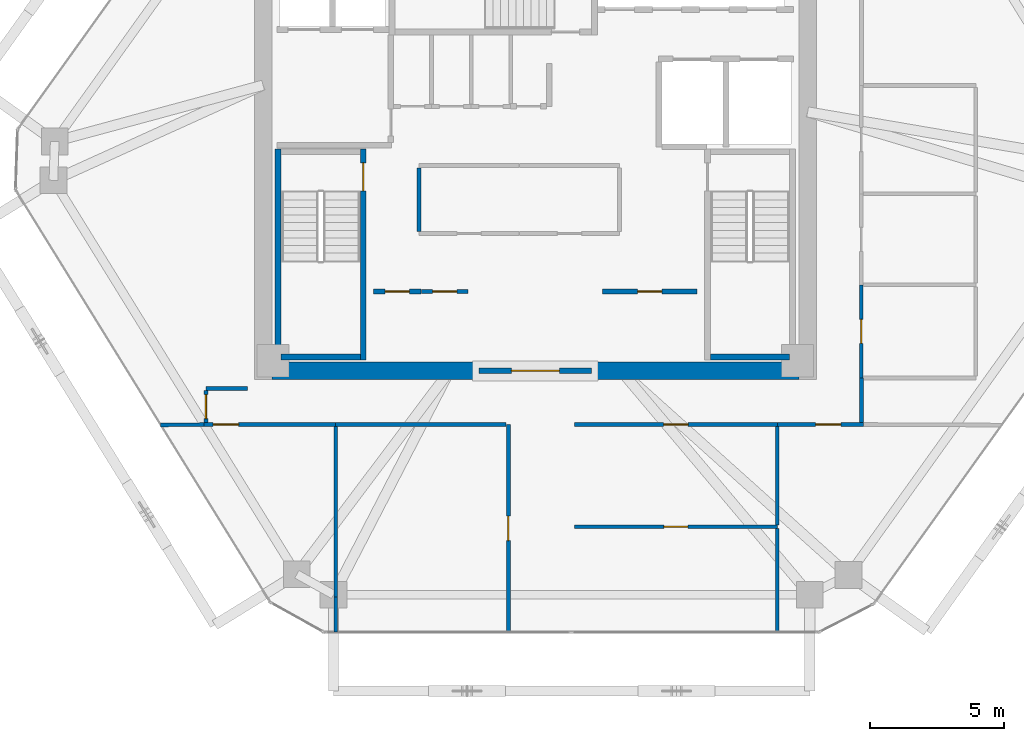
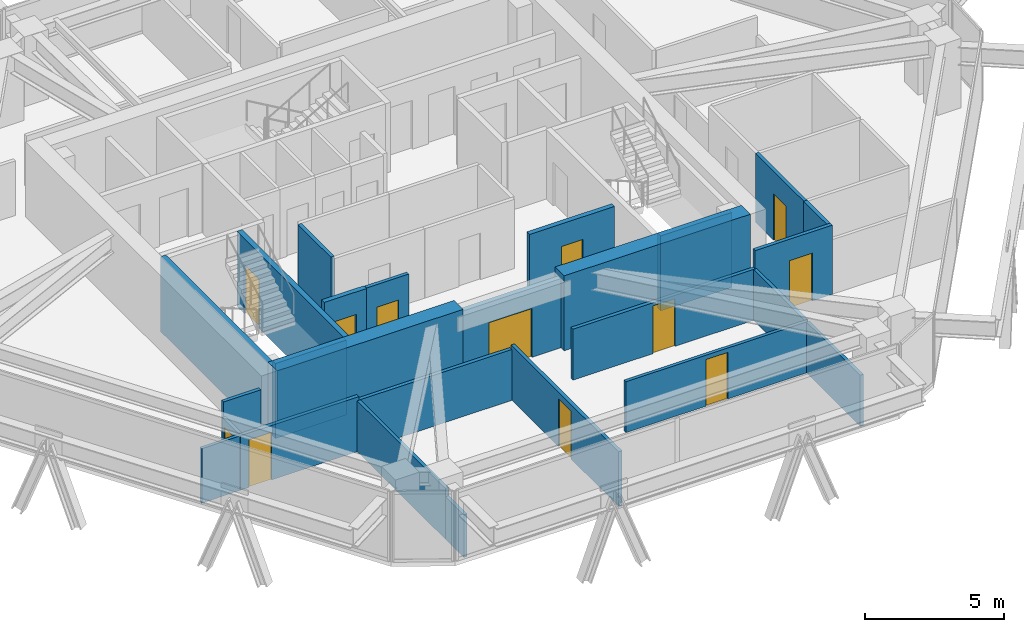
# One storey, part 10 of 14: 26 walls, 12 doors, 12 openings.
"""IFC4 building model written with IfcOpenShell, lengths in metres."""

from ifc_helpers import new_model, si_unit, direction, frame, frame_2d, origin, place, context, subcontext, project, spatial, rectangle, extrude, source, transform, mapped, material, layer, layer_set, type_object, type_shapes, element, fill, save


model = new_model("IFC4")

# Units and contexts
model_context = context("Model", 3, precision=1e-05, world=origin(), true_north=direction((0.0, 1.0)))
body_context = subcontext(model_context, "Body", "Model", "MODEL_VIEW")
ifc_project = project(units=[si_unit("LENGTHUNIT", "METRE"), si_unit("AREAUNIT", "SQUARE_METRE"), si_unit("VOLUMEUNIT", "CUBIC_METRE"), si_unit("PLANEANGLEUNIT", "RADIAN"), si_unit("MASSUNIT", "GRAM", prefix="KILO")], contexts=[model_context])

# Site, building, storey
site_placement = place(None, origin())
site = spatial("IfcSite", under=ifc_project, at=site_placement, CompositionType="ELEMENT")
building_placement = place(site_placement, origin())
building = spatial("IfcBuilding", under=site, at=building_placement, Name="Durnholm Broadcast Tower", CompositionType="ELEMENT")
storey_placement = place(building_placement, frame((0.0, 0.0, 193.60009765625)))
storey = spatial("IfcBuildingStorey", under=building, at=storey_placement, Name="L53", CompositionType="ELEMENT", Elevation=193.60009765625)

# Walls
ifc_material_1 = material(Name="Concrete C70/85", Category="concrete")
ifc_layer_1 = layer(ifc_material_1, 0.64990234375)
ifc_layer_set_1 = layer_set([ifc_layer_1], Name="Concrete C70/85")
wall_type_1 = type_object("IfcWallType", Name="WALL-CW-650", PredefinedType="SHEAR", material=ifc_layer_set_1)
for number, where, z_axis, x_axis, name in (
    (1, (-9.85009765625, -8.175048828125, 0.0), (0.0, 0.0, 1.0), (1.0, 0.0, 0.0), "L53 central core shear wall CW-S1"),
    (2, (2.10009765625, -8.175048828125, 0.0), (0.0, 0.0, 1.0), (1.0, 0.0, 0.0), "L53 central core shear wall CW-S2"),
):
    element("IfcWall", number, at=place(storey_placement, frame(where, z_axis=z_axis, x_axis=x_axis)), inside=storey, type_object=wall_type_1, Name=name, PredefinedType="SHEAR", context=body_context, shape_type="SweptSolid", body=[
        extrude(rectangle(XDim=7.75, YDim=0.64990234375, at=frame_2d((3.875, 0.0))), origin(), (0.0, 0.0, 1.0), 3.2998046875),
    ])

# Wall, opening, door
ifc_material_2 = material(Name="Fire-Rated Gypsum Shaftwall", Category="concrete")
ifc_layer_2 = layer(ifc_material_2, 0.199951171875)
ifc_layer_set_2 = layer_set([ifc_layer_2], Name="Fire-Rated Gypsum Shaftwall")
wall_type_2 = type_object("IfcWallType", Name="WALL-LOB-200", PredefinedType="SOLIDWALL", material=ifc_layer_set_2)
wall_1_placement = place(storey_placement, frame((-2.10009765625, -8.175048828125, 0.0), z_axis=(0.0, 0.0, 1.0), x_axis=(1.0, 0.0, 0.0)))
wall_1 = element("IfcWall", 3, at=wall_1_placement, inside=storey, type_object=wall_type_2, Name="L53 south core lobby fire screen", PredefinedType="SOLIDWALL", context=body_context, shape_type="SweptSolid", body=[
    extrude(rectangle(XDim=4.2001953125, YDim=0.199951171875, at=frame_2d((2.10009765625, 0.0))), origin(), (0.0, 0.0, 1.0), 3.044921875),
])
opening_1_placement = place(wall_1_placement, frame((1.199951171875, 0.0, 0.0)))
opening_1 = element("IfcOpeningElement", 4, at=opening_1_placement, cuts=wall_1, Name="Opening DP-60", PredefinedType="OPENING", context=body_context, shape_type="SweptSolid", body=[
    extrude(rectangle(XDim=1.800048828125, YDim=2.14990234375, at=frame_2d((0.89990234375, 1.074951171875))), frame((0.0, 0.10986328125, 0.0), z_axis=(0.0, -1.0, 0.0), x_axis=(1.0, 0.0, 0.0)), (0.0, 0.0, 1.0), 0.219970703125),
])
ifc_material_3 = material(Name="Fire-Rated Double Corridor Door", Category="steel")
ifc_layer_3 = layer(ifc_material_3, 0.050048828125)
ifc_layer_set_3 = layer_set([ifc_layer_3], Name="Fire-Rated Double Corridor Door")
door_type_1 = type_object("IfcDoorType", Name="DOOR-PAIR-FD60", OperationType="DOUBLE_DOOR_SINGLE_SWING", PredefinedType="DOOR", material=ifc_layer_set_3)
shared_shape_1 = source(origin(), body_context, "Body", "SweptSolid", [
    extrude(rectangle(XDim=1.800048828125, YDim=2.14990234375, at=frame_2d((0.89990234375, 1.074951171875))), frame((0.0, 0.02490234375, 0.0), z_axis=(0.0, -1.0, 0.0), x_axis=(1.0, 0.0, 0.0)), (0.0, 0.0, 1.0), 0.050048828125),
])
type_shapes(door_type_1, [shared_shape_1])
door_1_placement = place(opening_1_placement, origin())
door_1 = element("IfcDoor", 5, at=door_1_placement, inside=storey, type_object=door_type_1, Name="L53 south core lobby double fire door", OperationType="DOUBLE_DOOR_SINGLE_SWING", OverallHeight=2.14990234375, OverallWidth=1.800048828125, PredefinedType="DOOR", context=body_context, shape_type="MappedRepresentation", body=[
    mapped(shared_shape_1, transform((0.0, 0.0, 0.0), x_axis=(1.0, 0.0, 0.0), y_axis=(0.0, 1.0, 0.0), z_axis=(0.0, 0.0, 1.0), scale=1.0)),
])
fill(opening_1, door_1)

wall_2_placement = place(storey_placement, frame((-6.0400390625, -5.2099609375, 0.0), z_axis=(0.0, 0.0, 1.0), x_axis=(1.0, 0.0, 0.0)))
wall_2 = element("IfcWall", 6, at=wall_2_placement, inside=storey, type_object=wall_type_2, Name="L53 Media Fiber Patch Room corridor partition", PredefinedType="SOLIDWALL", context=body_context, shape_type="SweptSolid", body=[
    extrude(rectangle(XDim=1.760009765625, YDim=0.199951171875, at=frame_2d((0.8798828125, 0.0))), origin(), (0.0, 0.0, 1.0), 3.044921875),
])
opening_2_placement = place(wall_2_placement, frame((0.429931640625, 0.0, 0.0)))
opening_2 = element("IfcOpeningElement", 7, at=opening_2_placement, cuts=wall_2, Name="Opening DC-60L", PredefinedType="OPENING", context=body_context, shape_type="SweptSolid", body=[
    extrude(rectangle(XDim=0.89990234375, YDim=2.050048828125, at=frame_2d((0.449951171875, 1.02490234375))), frame((0.0, 0.10986328125, 0.0), z_axis=(0.0, -1.0, 0.0), x_axis=(1.0, 0.0, 0.0)), (0.0, 0.0, 1.0), 0.219970703125),
])
ifc_material_4 = material(Name="Fire-Rated Core Service Door", Category="steel")
ifc_layer_4 = layer(ifc_material_4, 0.050048828125)
ifc_layer_set_4 = layer_set([ifc_layer_4], Name="Fire-Rated Core Service Door")
door_type_2 = type_object("IfcDoorType", Name="DOOR-CORE-FD60-L", OperationType="NOTDEFINED", PredefinedType="DOOR", material=ifc_layer_set_4)
shared_shape_2 = source(origin(), body_context, "Body", "SweptSolid", [
    extrude(rectangle(XDim=0.89990234375, YDim=2.050048828125, at=frame_2d((0.449951171875, 1.02490234375))), frame((0.0, 0.02490234375, 0.0), z_axis=(0.0, -1.0, 0.0), x_axis=(1.0, 0.0, 0.0)), (0.0, 0.0, 1.0), 0.050048828125),
])
type_shapes(door_type_2, [shared_shape_2])
door_2_placement = place(opening_2_placement, origin())
door_2 = element("IfcDoor", 8, at=door_2_placement, inside=storey, type_object=door_type_2, Name="L53 Media Fiber Patch Room entrance door", OperationType="SINGLE_SWING_LEFT", OverallHeight=2.050048828125, OverallWidth=0.89990234375, PredefinedType="DOOR", context=body_context, shape_type="MappedRepresentation", body=[
    mapped(shared_shape_2, transform((0.0, 0.0, 0.0), x_axis=(1.0, 0.0, 0.0), y_axis=(0.0, 1.0, 0.0), z_axis=(0.0, 0.0, 1.0), scale=1.0)),
])
fill(opening_2, door_2)

wall_3_placement = place(storey_placement, frame((2.510009765625, -5.2099609375, 0.0), z_axis=(0.0, 0.0, 1.0), x_axis=(1.0, 0.0, 0.0)))
wall_3 = element("IfcWall", 9, at=wall_3_placement, inside=storey, type_object=wall_type_2, Name="L53 Telemetry Control Closet corridor partition", PredefinedType="SOLIDWALL", context=body_context, shape_type="SweptSolid", body=[
    extrude(rectangle(XDim=3.530029296875, YDim=0.199951171875, at=frame_2d((1.76513671875, 0.0))), origin(), (0.0, 0.0, 1.0), 3.044921875),
])
opening_3_placement = place(wall_3_placement, frame((1.31494140625, 0.0, 0.0)))
opening_3 = element("IfcOpeningElement", 10, at=opening_3_placement, cuts=wall_3, Name="Opening DC-60L", PredefinedType="OPENING", context=body_context, shape_type="SweptSolid", body=[
    extrude(rectangle(XDim=0.89990234375, YDim=2.050048828125, at=frame_2d((0.449951171875, 1.02490234375))), frame((0.0, 0.10986328125, 0.0), z_axis=(0.0, -1.0, 0.0), x_axis=(1.0, 0.0, 0.0)), (0.0, 0.0, 1.0), 0.219970703125),
])
door_3_placement = place(opening_3_placement, origin())
door_3 = element("IfcDoor", 11, at=door_3_placement, inside=storey, type_object=door_type_2, Name="L53 Telemetry Control Closet entrance door", OperationType="SINGLE_SWING_LEFT", OverallHeight=2.050048828125, OverallWidth=0.89990234375, PredefinedType="DOOR", context=body_context, shape_type="MappedRepresentation", body=[
    mapped(shared_shape_2, transform((0.0, 0.0, 0.0), x_axis=(1.0, 0.0, 0.0), y_axis=(0.0, 1.0, 0.0), z_axis=(0.0, 0.0, 1.0), scale=1.0)),
])
fill(opening_3, door_3)

# Walls
ifc_material_5 = material(Name="Gypsum Metal Stud Partition", Category="concrete")
ifc_layer_5 = layer(ifc_material_5, 0.135009765625)
ifc_layer_set_5 = layer_set([ifc_layer_5], Name="Gypsum Metal Stud Partition")
wall_type_3 = type_object("IfcWallType", Name="WALL-PART-135", PredefinedType="PARTITIONING", material=ifc_layer_set_5)
wall_4_placement = place(storey_placement, frame((-7.4599609375, -10.259033203125, 0.0), z_axis=(0.0, 0.0, 1.0), x_axis=(0.0, -1.0, 0.0)))
element("IfcWall", 12, at=wall_4_placement, inside=storey, type_object=wall_type_3, Name="L53 room dividing partition 16.17", PredefinedType="PARTITIONING", context=body_context, shape_type="SweptSolid", body=[
    extrude(rectangle(XDim=6.366943359375, YDim=0.135009765625, at=frame_2d((3.18359375, 0.0))), origin(), (0.0, 0.0, 1.0), 2.24169921875),
])
wall_5_placement = place(storey_placement, frame((-7.4599609375, -16.6259765625, 0.0), z_axis=(0.0, 0.0, 1.0), x_axis=(0.0, -1.0, 0.0)))
element("IfcWall", 13, at=wall_5_placement, inside=storey, type_object=wall_type_3, Name="L53 room dividing partition 16.17", PredefinedType="PARTITIONING", context=body_context, shape_type="SweptSolid", body=[
    extrude(rectangle(XDim=1.31591796875, YDim=0.135009765625, at=frame_2d((0.657958984375, 0.0))), origin(), (0.0, 0.0, 1.0), 1.876953125),
])
wall_6_placement = place(storey_placement, frame((-14.00390625, -10.200927734375, 0.0), z_axis=(0.0, 0.0, 1.0), x_axis=(0.999923084603, 0.012402615782, 0.0)))
element("IfcWall", 14, at=wall_6_placement, inside=storey, type_object=wall_type_3, Name="L53 room dividing partition 16.21", PredefinedType="PARTITIONING", context=body_context, shape_type="SweptSolid", body=[
    extrude(rectangle(XDim=1.6142578125, YDim=0.135009765625, at=frame_2d((0.80712890625, 0.0))), origin(), (0.0, 0.0, 1.0), 2.398681640625),
])

# Wall, opening, door
wall_7_placement = place(storey_placement, frame((1.4599609375, -14.0009765625, 0.0), z_axis=(0.0, 0.0, 1.0), x_axis=(1.0, 0.0, 0.0)))
wall_7 = element("IfcWall", 15, at=wall_7_placement, inside=storey, type_object=wall_type_3, Name="L53 room dividing partition 18.19", PredefinedType="PARTITIONING", context=body_context, shape_type="SweptSolid", body=[
    extrude(rectangle(XDim=7.580078125, YDim=0.135009765625, at=frame_2d((3.7900390625, 0.0))), origin(), (0.0, 0.0, 1.0), 2.24169921875),
])
opening_4_placement = place(wall_7_placement, frame((3.340087890625, 0.0, 0.0)))
opening_4 = element("IfcOpeningElement", 16, at=opening_4_placement, cuts=wall_7, Name="Opening DW-90L", PredefinedType="OPENING", context=body_context, shape_type="SweptSolid", body=[
    extrude(rectangle(XDim=0.89990234375, YDim=2.050048828125, at=frame_2d((0.449951171875, 1.02490234375))), frame((0.0, 0.07763671875, 0.0), z_axis=(0.0, -1.0, 0.0), x_axis=(1.0, 0.0, 0.0)), (0.0, 0.0, 1.0), 0.155029296875),
])
ifc_material_6 = material(Name="Laminate Restroom Door", Category="steel")
ifc_layer_6 = layer(ifc_material_6, 0.050048828125)
ifc_layer_set_6 = layer_set([ifc_layer_6], Name="Laminate Restroom Door")
door_type_3 = type_object("IfcDoorType", Name="DOOR-WC-900L", OperationType="NOTDEFINED", PredefinedType="DOOR", material=ifc_layer_set_6)
shared_shape_3 = source(origin(), body_context, "Body", "SweptSolid", [
    extrude(rectangle(XDim=0.89990234375, YDim=2.050048828125, at=frame_2d((0.449951171875, 1.02490234375))), frame((0.0, 0.02490234375, 0.0), z_axis=(0.0, -1.0, 0.0), x_axis=(1.0, 0.0, 0.0)), (0.0, 0.0, 1.0), 0.050048828125),
])
type_shapes(door_type_3, [shared_shape_3])
door_4_placement = place(opening_4_placement, origin())
door_4 = element("IfcDoor", 17, at=door_4_placement, inside=storey, type_object=door_type_3, Name="L53 Voiceover Studio Office connecting door", OperationType="SINGLE_SWING_LEFT", OverallHeight=2.050048828125, OverallWidth=0.89990234375, PredefinedType="DOOR", context=body_context, shape_type="MappedRepresentation", body=[
    mapped(shared_shape_3, transform((0.0, 0.0, 0.0), x_axis=(1.0, 0.0, 0.0), y_axis=(0.0, 1.0, 0.0), z_axis=(0.0, 0.0, 1.0), scale=1.0)),
])
fill(opening_4, door_4)

# Walls
wall_8_placement = place(storey_placement, frame((9.0400390625, -14.072509765625, 0.0), z_axis=(0.0, 0.0, 1.0), x_axis=(0.0, -1.0, 0.0)))
element("IfcWall", 18, at=wall_8_placement, inside=storey, type_object=wall_type_3, Name="L53 room dividing partition 18.20", PredefinedType="PARTITIONING", context=body_context, shape_type="SweptSolid", body=[
    extrude(rectangle(XDim=3.869384765625, YDim=0.135009765625, at=frame_2d((1.9345703125, 0.0))), origin(), (0.0, 0.0, 1.0), 2.24169921875),
])
wall_9_placement = place(storey_placement, frame((9.0400390625, -10.259033203125, 0.0), z_axis=(0.0, 0.0, 1.0), x_axis=(0.0, -1.0, 0.0)))
element("IfcWall", 19, at=wall_9_placement, inside=storey, type_object=wall_type_3, Name="L53 room dividing partition 19.20", PredefinedType="PARTITIONING", context=body_context, shape_type="SweptSolid", body=[
    extrude(rectangle(XDim=3.67041015625, YDim=0.135009765625, at=frame_2d((1.835205078125, 0.0))), origin(), (0.0, 0.0, 1.0), 2.24169921875),
])

# Wall, opening, door
ifc_material_7 = material(Name="Acoustic Gypsum Stud Partition", Category="concrete")
ifc_layer_7 = layer(ifc_material_7, 0.14990234375)
ifc_layer_set_7 = layer_set([ifc_layer_7], Name="Acoustic Gypsum Stud Partition")
wall_type_4 = type_object("IfcWallType", Name="WALL-PART-150", PredefinedType="PARTITIONING", material=ifc_layer_set_7)
wall_10_placement = place(storey_placement, frame((-4.260009765625, -5.2099609375, 0.0), z_axis=(0.0, 0.0, 1.0), x_axis=(1.0, 0.0, 0.0)))
wall_10 = element("IfcWall", 20, at=wall_10_placement, inside=storey, type_object=wall_type_4, Name="L53 Copy and Print Room corridor partition", PredefinedType="PARTITIONING", context=body_context, shape_type="SweptSolid", body=[
    extrude(rectangle(XDim=1.75, YDim=0.14990234375, at=frame_2d((0.875, 0.0))), origin(), (0.0, 0.0, 1.0), 3.044921875),
])
opening_5_placement = place(wall_10_placement, frame((0.425048828125, 0.0, 0.0)))
opening_5 = element("IfcOpeningElement", 21, at=opening_5_placement, cuts=wall_10, Name="Opening DC-60R", PredefinedType="OPENING", context=body_context, shape_type="SweptSolid", body=[
    extrude(rectangle(XDim=0.89990234375, YDim=2.050048828125, at=frame_2d((0.449951171875, 1.02490234375))), frame((0.0, 0.0849609375, 0.0), z_axis=(0.0, -1.0, 0.0), x_axis=(1.0, 0.0, 0.0)), (0.0, 0.0, 1.0), 0.169921875),
])
ifc_layer_8 = layer(ifc_material_4, 0.050048828125)
ifc_layer_set_8 = layer_set([ifc_layer_8], Name="Fire-Rated Core Service Door")
door_type_4 = type_object("IfcDoorType", Name="DOOR-CORE-FD60-R", OperationType="NOTDEFINED", PredefinedType="DOOR", material=ifc_layer_set_8)
shared_shape_4 = source(origin(), body_context, "Body", "SweptSolid", [
    extrude(rectangle(XDim=0.89990234375, YDim=2.050048828125, at=frame_2d((0.449951171875, 1.02490234375))), frame((0.0, 0.02490234375, 0.0), z_axis=(0.0, -1.0, 0.0), x_axis=(1.0, 0.0, 0.0)), (0.0, 0.0, 1.0), 0.050048828125),
])
type_shapes(door_type_4, [shared_shape_4])
door_5_placement = place(opening_5_placement, origin())
door_5 = element("IfcDoor", 22, at=door_5_placement, inside=storey, type_object=door_type_4, Name="L53 Copy and Print Room entrance door", OperationType="SINGLE_SWING_RIGHT", OverallHeight=2.050048828125, OverallWidth=0.89990234375, PredefinedType="DOOR", context=body_context, shape_type="MappedRepresentation", body=[
    mapped(shared_shape_4, transform((0.0, 0.0, 0.0), x_axis=(1.0, 0.0, 0.0), y_axis=(0.0, 1.0, 0.0), z_axis=(0.0, 0.0, 1.0), scale=1.0)),
])
fill(opening_5, door_5)

# Wall
wall_11_placement = place(storey_placement, frame((-4.340087890625, -2.9609375, 0.0), z_axis=(0.0, 0.0, 1.0), x_axis=(0.0, 1.0, 0.0)))
element("IfcWall", 23, at=wall_11_placement, inside=storey, type_object=wall_type_4, Name="L53 Digital Tape Archive Store corridor partition", PredefinedType="PARTITIONING", context=body_context, shape_type="SweptSolid", body=[
    extrude(rectangle(XDim=2.371826171875, YDim=0.14990234375, at=frame_2d((1.18603515625, 0.0))), origin(), (0.0, 0.0, 1.0), 3.044921875),
])

# Wall, opening, door
wall_12_placement = place(storey_placement, frame((-12.389892578125, -10.179931640625, 0.0), z_axis=(0.0, 0.0, 1.0), x_axis=(1.0, 0.0, 0.0)))
wall_12 = element("IfcWall", 24, at=wall_12_placement, inside=storey, type_object=wall_type_4, Name="L53 Typography Meeting Room 2 corridor partition", PredefinedType="PARTITIONING", context=body_context, shape_type="SweptSolid", body=[
    extrude(rectangle(XDim=4.929931640625, YDim=0.14990234375, at=frame_2d((2.46484375, 0.0))), origin(), (0.0, 0.0, 1.0), 2.398681640625),
])
opening_6_placement = place(wall_12_placement, frame((0.35009765625, 0.0, 0.0)))
opening_6 = element("IfcOpeningElement", 25, at=opening_6_placement, cuts=wall_12, Name="Opening DR-95R", PredefinedType="OPENING", context=body_context, shape_type="SweptSolid", body=[
    extrude(rectangle(XDim=0.949951171875, YDim=2.10009765625, at=frame_2d((0.47509765625, 1.050048828125))), frame((0.0, 0.0849609375, 0.0), z_axis=(0.0, -1.0, 0.0), x_axis=(1.0, 0.0, 0.0)), (0.0, 0.0, 1.0), 0.169921875),
])
ifc_material_8 = material(Name="Acoustic Oak Veneer Timber Door", Category="wood")
ifc_layer_9 = layer(ifc_material_8, 0.050048828125)
ifc_layer_set_9 = layer_set([ifc_layer_9], Name="Acoustic Oak Veneer Timber Door")
door_type_5 = type_object("IfcDoorType", Name="DOOR-RM-950R", OperationType="NOTDEFINED", PredefinedType="DOOR", material=ifc_layer_set_9)
shared_shape_5 = source(origin(), body_context, "Body", "SweptSolid", [
    extrude(rectangle(XDim=0.949951171875, YDim=2.10009765625, at=frame_2d((0.47509765625, 1.050048828125))), frame((0.0, 0.02490234375, 0.0), z_axis=(0.0, -1.0, 0.0), x_axis=(1.0, 0.0, 0.0)), (0.0, 0.0, 1.0), 0.050048828125),
])
type_shapes(door_type_5, [shared_shape_5])
door_6_placement = place(opening_6_placement, origin())
door_6 = element("IfcDoor", 26, at=door_6_placement, inside=storey, type_object=door_type_5, Name="L53 Typography Meeting Room 2 entrance door", OperationType="SINGLE_SWING_RIGHT", OverallHeight=2.10009765625, OverallWidth=0.949951171875, PredefinedType="DOOR", context=body_context, shape_type="MappedRepresentation", body=[
    mapped(shared_shape_5, transform((0.0, 0.0, 0.0), x_axis=(1.0, 0.0, 0.0), y_axis=(0.0, 1.0, 0.0), z_axis=(0.0, 0.0, 1.0), scale=1.0)),
])
fill(opening_6, door_6)

wall_13_placement = place(storey_placement, frame((-1.010009765625, -10.179931640625, 0.0), z_axis=(0.0, 0.0, 1.0), x_axis=(0.0, -1.0, 0.0)))
wall_13 = element("IfcWall", 27, at=wall_13_placement, inside=storey, type_object=wall_type_4, Name="L53 Promo Kitchen corridor partition", PredefinedType="PARTITIONING", context=body_context, shape_type="SweptSolid", body=[
    extrude(rectangle(XDim=7.761962890625, YDim=0.14990234375, at=frame_2d((3.880859375, 0.0))), origin(), (0.0, 0.0, 1.0), 2.398681640625),
])
opening_7_placement = place(wall_13_placement, frame((3.4208984375, 0.0, 0.0)))
opening_7 = element("IfcOpeningElement", 28, at=opening_7_placement, cuts=wall_13, Name="Opening DR-92L", PredefinedType="OPENING", context=body_context, shape_type="SweptSolid", body=[
    extrude(rectangle(XDim=0.919921875, YDim=2.10009765625, at=frame_2d((0.4599609375, 1.050048828125))), frame((0.0, 0.0849609375, 0.0), z_axis=(0.0, -1.0, 0.0), x_axis=(1.0, 0.0, 0.0)), (0.0, 0.0, 1.0), 0.169921875),
])
ifc_material_9 = material(Name="Oak Veneer Office Door", Category="wood")
ifc_layer_10 = layer(ifc_material_9, 0.050048828125)
ifc_layer_set_10 = layer_set([ifc_layer_10], Name="Oak Veneer Office Door")
door_type_6 = type_object("IfcDoorType", Name="DOOR-RM-920L", OperationType="NOTDEFINED", PredefinedType="DOOR", material=ifc_layer_set_10)
shared_shape_6 = source(origin(), body_context, "Body", "SweptSolid", [
    extrude(rectangle(XDim=0.919921875, YDim=2.10009765625, at=frame_2d((0.4599609375, 1.050048828125))), frame((0.0, 0.02490234375, 0.0), z_axis=(0.0, -1.0, 0.0), x_axis=(1.0, 0.0, 0.0)), (0.0, 0.0, 1.0), 0.050048828125),
])
type_shapes(door_type_6, [shared_shape_6])
door_7_placement = place(opening_7_placement, origin())
door_7 = element("IfcDoor", 29, at=door_7_placement, inside=storey, type_object=door_type_6, Name="L53 Promo Kitchen entrance door", OperationType="SINGLE_SWING_LEFT", OverallHeight=2.10009765625, OverallWidth=0.919921875, PredefinedType="DOOR", context=body_context, shape_type="MappedRepresentation", body=[
    mapped(shared_shape_6, transform((0.0, 0.0, 0.0), x_axis=(1.0, 0.0, 0.0), y_axis=(0.0, 1.0, 0.0), z_axis=(0.0, 0.0, 1.0), scale=1.0)),
])
fill(opening_7, door_7)

# Wall
wall_14_placement = place(storey_placement, frame((-7.4599609375, -10.179931640625, 0.0), z_axis=(0.0, 0.0, 1.0), x_axis=(1.0, 0.0, 0.0)))
element("IfcWall", 30, at=wall_14_placement, inside=storey, type_object=wall_type_4, Name="L53 Promo Kitchen corridor partition", PredefinedType="PARTITIONING", context=body_context, shape_type="SweptSolid", body=[
    extrude(rectangle(XDim=6.370849609375, YDim=0.14990234375, at=frame_2d((3.185546875, 0.0))), origin(), (0.0, 0.0, 1.0), 2.24169921875),
])

# Wall, opening, door
wall_15_placement = place(storey_placement, frame((1.4599609375, -10.179931640625, 0.0), z_axis=(0.0, 0.0, 1.0), x_axis=(1.0, 0.0, 0.0)))
wall_15 = element("IfcWall", 31, at=wall_15_placement, inside=storey, type_object=wall_type_4, Name="L53 Print Design Office corridor partition", PredefinedType="PARTITIONING", context=body_context, shape_type="SweptSolid", body=[
    extrude(rectangle(XDim=7.580078125, YDim=0.14990234375, at=frame_2d((3.7900390625, 0.0))), origin(), (0.0, 0.0, 1.0), 2.24169921875),
])
opening_8_placement = place(wall_15_placement, frame((3.330078125, 0.0, 0.0)))
opening_8 = element("IfcOpeningElement", 32, at=opening_8_placement, cuts=wall_15, Name="Opening DR-92R", PredefinedType="OPENING", context=body_context, shape_type="SweptSolid", body=[
    extrude(rectangle(XDim=0.919921875, YDim=2.10009765625, at=frame_2d((0.4599609375, 1.050048828125))), frame((0.0, 0.0849609375, 0.0), z_axis=(0.0, -1.0, 0.0), x_axis=(1.0, 0.0, 0.0)), (0.0, 0.0, 1.0), 0.169921875),
])
ifc_layer_11 = layer(ifc_material_9, 0.050048828125)
ifc_layer_set_11 = layer_set([ifc_layer_11], Name="Oak Veneer Office Door")
door_type_7 = type_object("IfcDoorType", Name="DOOR-RM-920R", OperationType="NOTDEFINED", PredefinedType="DOOR", material=ifc_layer_set_11)
shared_shape_7 = source(origin(), body_context, "Body", "SweptSolid", [
    extrude(rectangle(XDim=0.919921875, YDim=2.10009765625, at=frame_2d((0.4599609375, 1.050048828125))), frame((0.0, 0.02490234375, 0.0), z_axis=(0.0, -1.0, 0.0), x_axis=(1.0, 0.0, 0.0)), (0.0, 0.0, 1.0), 0.050048828125),
])
type_shapes(door_type_7, [shared_shape_7])
door_8_placement = place(opening_8_placement, origin())
door_8 = element("IfcDoor", 33, at=door_8_placement, inside=storey, type_object=door_type_7, Name="L53 Print Design Office entrance door", OperationType="SINGLE_SWING_RIGHT", OverallHeight=2.10009765625, OverallWidth=0.919921875, PredefinedType="DOOR", context=body_context, shape_type="MappedRepresentation", body=[
    mapped(shared_shape_7, transform((0.0, 0.0, 0.0), x_axis=(1.0, 0.0, 0.0), y_axis=(0.0, 1.0, 0.0), z_axis=(0.0, 0.0, 1.0), scale=1.0)),
])
fill(opening_8, door_8)

wall_16_placement = place(storey_placement, frame((9.0400390625, -10.179931640625, 0.0), z_axis=(0.0, 0.0, 1.0), x_axis=(1.0, 0.0, 0.0)))
wall_16 = element("IfcWall", 34, at=wall_16_placement, inside=storey, type_object=wall_type_4, Name="L53 Open Plan Broadcast Workspace 3 corridor partition", PredefinedType="PARTITIONING", context=body_context, shape_type="SweptSolid", body=[
    extrude(rectangle(XDim=3.219970703125, YDim=0.14990234375, at=frame_2d((1.60986328125, 0.0))), origin(), (0.0, 0.0, 1.0), 3.044921875),
])
opening_9_placement = place(wall_16_placement, frame((1.429931640625, 0.0, 0.0)))
opening_9 = element("IfcOpeningElement", 35, at=opening_9_placement, cuts=wall_16, Name="Opening DR-95L", PredefinedType="OPENING", context=body_context, shape_type="SweptSolid", body=[
    extrude(rectangle(XDim=0.949951171875, YDim=2.10009765625, at=frame_2d((0.47509765625, 1.050048828125))), frame((0.0, 0.0849609375, 0.0), z_axis=(0.0, -1.0, 0.0), x_axis=(1.0, 0.0, 0.0)), (0.0, 0.0, 1.0), 0.169921875),
])
ifc_layer_12 = layer(ifc_material_8, 0.050048828125)
ifc_layer_set_12 = layer_set([ifc_layer_12], Name="Acoustic Oak Veneer Timber Door")
door_type_8 = type_object("IfcDoorType", Name="DOOR-RM-950L", OperationType="NOTDEFINED", PredefinedType="DOOR", material=ifc_layer_set_12)
shared_shape_8 = source(origin(), body_context, "Body", "SweptSolid", [
    extrude(rectangle(XDim=0.949951171875, YDim=2.10009765625, at=frame_2d((0.47509765625, 1.050048828125))), frame((0.0, 0.02490234375, 0.0), z_axis=(0.0, -1.0, 0.0), x_axis=(1.0, 0.0, 0.0)), (0.0, 0.0, 1.0), 0.050048828125),
])
type_shapes(door_type_8, [shared_shape_8])
door_9_placement = place(opening_9_placement, origin())
door_9 = element("IfcDoor", 36, at=door_9_placement, inside=storey, type_object=door_type_8, Name="L53 Open Plan Broadcast Workspace 3 entrance door", OperationType="SINGLE_SWING_LEFT", OverallHeight=2.10009765625, OverallWidth=0.949951171875, PredefinedType="DOOR", context=body_context, shape_type="MappedRepresentation", body=[
    mapped(shared_shape_8, transform((0.0, 0.0, 0.0), x_axis=(1.0, 0.0, 0.0), y_axis=(0.0, 1.0, 0.0), z_axis=(0.0, 0.0, 1.0), scale=1.0)),
])
fill(opening_9, door_9)

# Wall
wall_17_placement = place(storey_placement, frame((-10.760009765625, -8.840087890625, 0.0), z_axis=(0.0, 0.0, 1.0), x_axis=(-1.0, 0.0, 0.0)))
element("IfcWall", 37, at=wall_17_placement, inside=storey, type_object=wall_type_4, Name="L53 Brand Review Lounge 2 corridor partition", PredefinedType="PARTITIONING", context=body_context, shape_type="SweptSolid", body=[
    extrude(rectangle(XDim=1.550048828125, YDim=0.14990234375, at=frame_2d((0.77490234375, 0.0))), origin(), (0.0, 0.0, 1.0), 3.044921875),
])

# Wall, opening, door
wall_18_placement = place(storey_placement, frame((-12.31005859375, -8.9189453125, 0.0), z_axis=(0.0, 0.0, 1.0), x_axis=(0.0, -1.0, 0.0)))
wall_18 = element("IfcWall", 38, at=wall_18_placement, inside=storey, type_object=wall_type_4, Name="L53 Brand Review Lounge 2 corridor partition", PredefinedType="PARTITIONING", context=body_context, shape_type="SweptSolid", body=[
    extrude(rectangle(XDim=1.18212890625, YDim=0.14990234375, at=frame_2d((0.591064453125, 0.0))), origin(), (0.0, 0.0, 1.0), 2.398681640625),
])
opening_10_placement = place(wall_18_placement, frame((0.14111328125, 0.0, 0.0)))
opening_10 = element("IfcOpeningElement", 39, at=opening_10_placement, cuts=wall_18, Name="Opening DW-90L", PredefinedType="OPENING", context=body_context, shape_type="SweptSolid", body=[
    extrude(rectangle(XDim=0.89990234375, YDim=2.050048828125, at=frame_2d((0.449951171875, 1.02490234375))), frame((0.0, 0.0849609375, 0.0), z_axis=(0.0, -1.0, 0.0), x_axis=(1.0, 0.0, 0.0)), (0.0, 0.0, 1.0), 0.169921875),
])
door_10_placement = place(opening_10_placement, origin())
door_10 = element("IfcDoor", 40, at=door_10_placement, inside=storey, type_object=door_type_3, Name="L53 Brand Review Lounge 2 entrance door", OperationType="SINGLE_SWING_LEFT", OverallHeight=2.050048828125, OverallWidth=0.89990234375, PredefinedType="DOOR", context=body_context, shape_type="MappedRepresentation", body=[
    mapped(shared_shape_3, transform((0.0, 0.0, 0.0), x_axis=(1.0, 0.0, 0.0), y_axis=(0.0, 1.0, 0.0), z_axis=(0.0, 0.0, 1.0), scale=1.0)),
])
fill(opening_10, door_10)

# Wall
wall_19_placement = place(storey_placement, frame((12.179931640625, -10.10107421875, 0.0), z_axis=(0.0, 0.0, 1.0), x_axis=(0.0, 1.0, 0.0)))
element("IfcWall", 41, at=wall_19_placement, inside=storey, type_object=wall_type_4, Name="L53 Typography Meeting Room 2 corridor partition", PredefinedType="PARTITIONING", context=body_context, shape_type="SweptSolid", body=[
    extrude(rectangle(XDim=1.6611328125, YDim=0.14990234375, at=frame_2d((0.83056640625, 0.0))), origin(), (0.0, 0.0, 1.0), 3.044921875),
])

# Wall, opening, door
ifc_material_10 = material(Name="Concrete C50/60", Category="concrete")
ifc_layer_13 = layer(ifc_material_10, 0.219970703125)
ifc_layer_set_13 = layer_set([ifc_layer_13], Name="Concrete C50/60")
wall_type_5 = type_object("IfcWallType", Name="WALL-SW-220", PredefinedType="SHEAR", material=ifc_layer_set_13)
wall_20_placement = place(storey_placement, frame((-6.429931640625, -7.77001953125, -0.239990234375), z_axis=(0.0, 0.0, 1.0), x_axis=(0.0, 1.0, 0.0)))
wall_20 = element("IfcWall", 42, at=wall_20_placement, inside=storey, type_object=wall_type_5, Name="L53 stair ST-1 structural shaft wall E", PredefinedType="SHEAR", context=body_context, shape_type="SweptSolid", body=[
    extrude(rectangle(XDim=7.89013671875, YDim=0.219970703125, at=frame_2d((3.945068359375, 0.0))), origin(), (0.0, 0.0, 1.0), 3.2998046875),
])
opening_11_placement = place(wall_20_placement, frame((6.320068359375, 0.0, 0.0)))
opening_11 = element("IfcOpeningElement", 43, at=opening_11_placement, cuts=wall_20, Name="Opening DS-90L", PredefinedType="OPENING", context=body_context, shape_type="SweptSolid", body=[
    extrude(rectangle(XDim=1.050048828125, YDim=2.14990234375, at=frame_2d((0.52490234375, 1.074951171875))), frame((0.0, 0.1201171875, 0.0), z_axis=(0.0, -1.0, 0.0), x_axis=(1.0, 0.0, 0.0)), (0.0, 0.0, 1.0), 0.239990234375),
])
ifc_material_11 = material(Name="Fire-Rated Steel Door", Category="steel")
ifc_layer_14 = layer(ifc_material_11, 0.050048828125)
ifc_layer_set_14 = layer_set([ifc_layer_14], Name="Fire-Rated Steel Door")
door_type_9 = type_object("IfcDoorType", Name="DOOR-ST-FD90-L", OperationType="NOTDEFINED", PredefinedType="DOOR", material=ifc_layer_set_14)
shared_shape_9 = source(origin(), body_context, "Body", "SweptSolid", [
    extrude(rectangle(XDim=1.050048828125, YDim=2.14990234375, at=frame_2d((0.52490234375, 1.074951171875))), frame((0.0, 0.02490234375, 0.0), z_axis=(0.0, -1.0, 0.0), x_axis=(1.0, 0.0, 0.0)), (0.0, 0.0, 1.0), 0.050048828125),
])
type_shapes(door_type_9, [shared_shape_9])
door_11_placement = place(opening_11_placement, origin())
door_11 = element("IfcDoor", 44, at=door_11_placement, inside=storey, type_object=door_type_9, Name="L53 exit stair ST-1 fire door", OperationType="SINGLE_SWING_LEFT", OverallHeight=2.14990234375, OverallWidth=1.050048828125, PredefinedType="DOOR", context=body_context, shape_type="MappedRepresentation", body=[
    mapped(shared_shape_9, transform((0.0, 0.0, 0.0), x_axis=(1.0, 0.0, 0.0), y_axis=(0.0, 1.0, 0.0), z_axis=(0.0, 0.0, 1.0), scale=1.0)),
])
fill(opening_11, door_11)

# Walls
wall_21_placement = place(storey_placement, frame((-9.610107421875, 0.1201171875, -0.239990234375), z_axis=(0.0, 0.0, 1.0), x_axis=(0.0, -1.0, 0.0)))
element("IfcWall", 45, at=wall_21_placement, inside=storey, type_object=wall_type_5, Name="L53 stair ST-1 structural shaft wall W", PredefinedType="SHEAR", context=body_context, shape_type="SweptSolid", body=[
    extrude(rectangle(XDim=7.89013671875, YDim=0.219970703125, at=frame_2d((3.945068359375, 0.0))), origin(), (0.0, 0.0, 1.0), 3.2998046875),
])
for number, where, z_axis, x_axis, name in (
    (46, (-9.5, -7.659912109375, -0.239990234375), (0.0, 0.0, 1.0), (1.0, 0.0, 0.0), "L53 stair ST-1 structural shaft wall S"),
    (47, (6.5400390625, -7.659912109375, -0.239990234375), (0.0, 0.0, 1.0), (1.0, 0.0, 0.0), "L53 stair ST-2 structural shaft wall S"),
):
    element("IfcWall", number, at=place(storey_placement, frame(where, z_axis=z_axis, x_axis=x_axis)), inside=storey, type_object=wall_type_5, Name=name, PredefinedType="SHEAR", context=body_context, shape_type="SweptSolid", body=[
        extrude(rectangle(XDim=2.9599609375, YDim=0.219970703125, at=frame_2d((1.47998046875, 0.0))), origin(), (0.0, 0.0, 1.0), 3.2998046875),
    ])

# Wall, opening, door
ifc_material_12 = material(Name="Moisture-Resistant Tile Partition", Category="concrete")
ifc_layer_15 = layer(ifc_material_12, 0.139892578125)
ifc_layer_set_15 = layer_set([ifc_layer_15], Name="Moisture-Resistant Tile Partition")
wall_type_6 = type_object("IfcWallType", Name="WALL-WC-140", PredefinedType="PARTITIONING", material=ifc_layer_set_15)
wall_22_placement = place(storey_placement, frame((12.179931640625, -8.43994140625, 0.0), z_axis=(0.0, 0.0, 1.0), x_axis=(0.0, 1.0, 0.0)))
wall_22 = element("IfcWall", 48, at=wall_22_placement, inside=storey, type_object=wall_type_6, Name="L53 Men's Restroom corridor partition", PredefinedType="PARTITIONING", context=body_context, shape_type="SweptSolid", body=[
    extrude(rectangle(XDim=3.47998046875, YDim=0.139892578125, at=frame_2d((1.739990234375, 0.0))), origin(), (0.0, 0.0, 1.0), 3.044921875),
])
opening_12_placement = place(wall_22_placement, frame((1.2900390625, 0.0, 0.0)))
opening_12 = element("IfcOpeningElement", 49, at=opening_12_placement, cuts=wall_22, Name="Opening DW-90R", PredefinedType="OPENING", context=body_context, shape_type="SweptSolid", body=[
    extrude(rectangle(XDim=0.89990234375, YDim=2.050048828125, at=frame_2d((0.449951171875, 1.02490234375))), frame((0.0, 0.080078125, 0.0), z_axis=(0.0, -1.0, 0.0), x_axis=(1.0, 0.0, 0.0)), (0.0, 0.0, 1.0), 0.159912109375),
])
ifc_layer_16 = layer(ifc_material_6, 0.050048828125)
ifc_layer_set_16 = layer_set([ifc_layer_16], Name="Laminate Restroom Door")
door_type_10 = type_object("IfcDoorType", Name="DOOR-WC-900R", OperationType="NOTDEFINED", PredefinedType="DOOR", material=ifc_layer_set_16)
shared_shape_10 = source(origin(), body_context, "Body", "SweptSolid", [
    extrude(rectangle(XDim=0.89990234375, YDim=2.050048828125, at=frame_2d((0.449951171875, 1.02490234375))), frame((0.0, 0.02490234375, 0.0), z_axis=(0.0, -1.0, 0.0), x_axis=(1.0, 0.0, 0.0)), (0.0, 0.0, 1.0), 0.050048828125),
])
type_shapes(door_type_10, [shared_shape_10])
door_12_placement = place(opening_12_placement, origin())
door_12 = element("IfcDoor", 50, at=door_12_placement, inside=storey, type_object=door_type_10, Name="L53 Men's Restroom entrance door", OperationType="SINGLE_SWING_RIGHT", OverallHeight=2.050048828125, OverallWidth=0.89990234375, PredefinedType="DOOR", context=body_context, shape_type="MappedRepresentation", body=[
    mapped(shared_shape_10, transform((0.0, 0.0, 0.0), x_axis=(1.0, 0.0, 0.0), y_axis=(0.0, 1.0, 0.0), z_axis=(0.0, 0.0, 1.0), scale=1.0)),
])
fill(opening_12, door_12)

save(model, "model.ifc")
